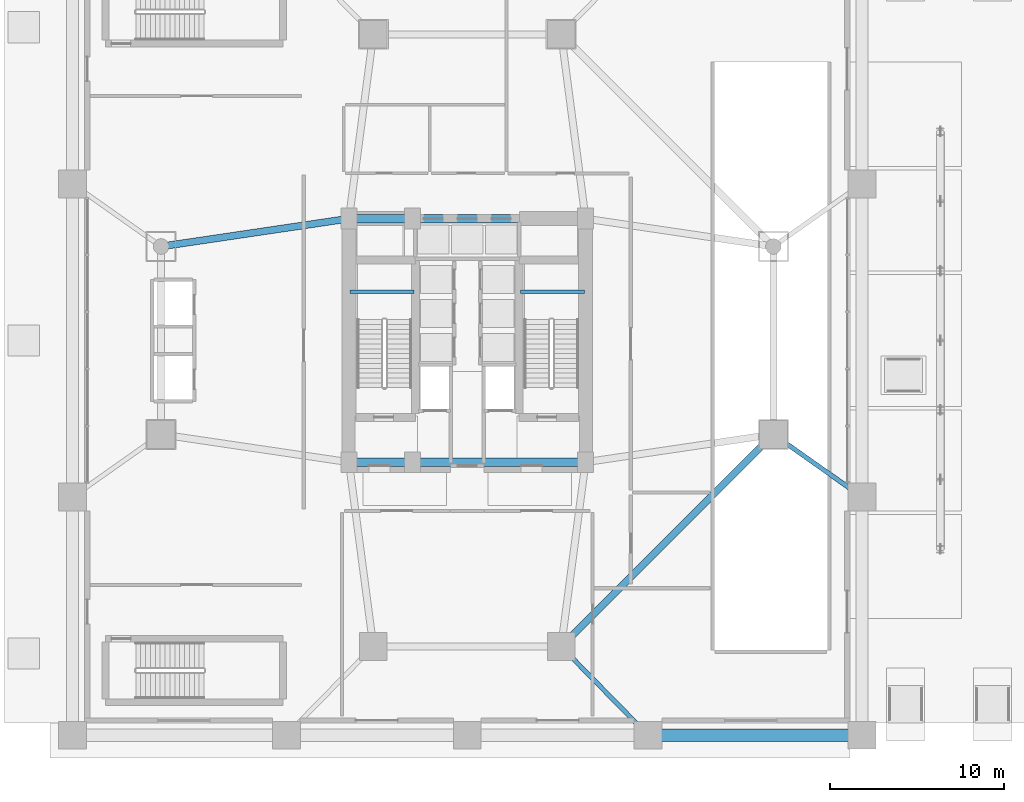
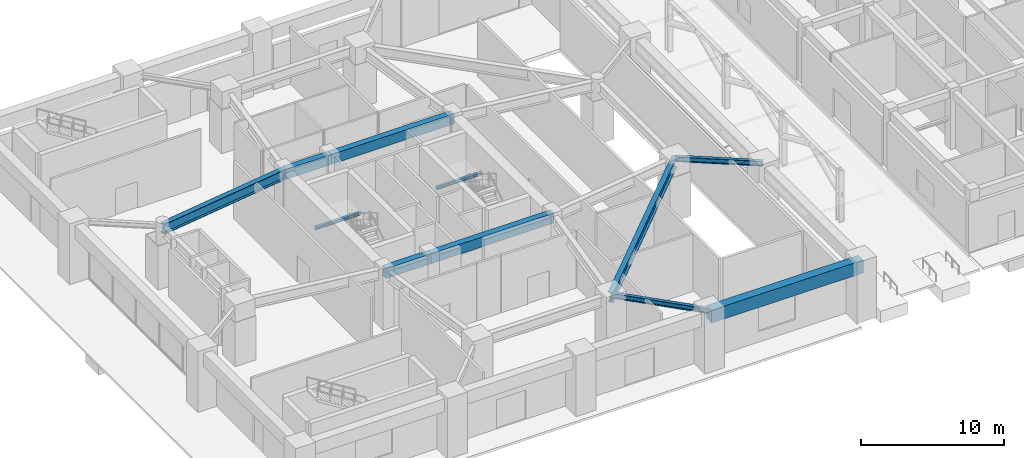
# One storey, part 9 of 27: 11 beams.
"""IFC4 building model written with IfcOpenShell, lengths in metres."""

from ifc_helpers import new_model, si_unit, direction, frame, origin, origin_2d, place, context, subcontext, project, spatial, rectangle, i_section, extrude, material, material_profile, profile_set, type_object, element, save


model = new_model("IFC4")

# Units and contexts
model_context = context("Model", 3, precision=1e-05, world=origin(), true_north=direction((0.0, 1.0)))
body_context = subcontext(model_context, "Body", "Model", "MODEL_VIEW")
ifc_project = project(units=[si_unit("LENGTHUNIT", "METRE"), si_unit("AREAUNIT", "SQUARE_METRE"), si_unit("VOLUMEUNIT", "CUBIC_METRE"), si_unit("PLANEANGLEUNIT", "RADIAN"), si_unit("MASSUNIT", "GRAM", prefix="KILO")], contexts=[model_context])

# Site, building, storey
site_placement = place(None, origin())
site = spatial("IfcSite", under=ifc_project, at=site_placement, CompositionType="ELEMENT")
building_placement = place(site_placement, origin())
building = spatial("IfcBuilding", under=site, at=building_placement, Name="Veraguas Prism Commons", CompositionType="ELEMENT")
storey_placement = place(building_placement, origin())
storey = spatial("IfcBuildingStorey", under=building, at=storey_placement, Name="L00", CompositionType="ELEMENT", Elevation=0.0)

# Beams
ifc_material_1 = material(Name="Steel ASTM A992 Grade 50", Category="steel")
ifc_material_profile_1 = material_profile(ifc_material_1, i_section(OverallWidth=0.403076171875, OverallDepth=0.867919921875, WebThickness=0.02099609375, FlangeThickness=0.03564453125, at=origin_2d()), Name="W840X359")
ifc_profile_set_1 = profile_set([ifc_material_profile_1], Name="Steel ASTM A992 Grade 50")
beam_type_1 = type_object("IfcBeamType", Name="Concourse Primary Girder W840x359", PredefinedType="BEAM", material=ifc_profile_set_1)
beam_1_placement = place(storey_placement, frame((6.39990234375, 29.39990234375, 4.466064453125), z_axis=(0.989202261707, 0.146556765224, 0.0), x_axis=(-0.146556765224, 0.989202261707, 0.0)))
element("IfcBeam", 1, at=beam_1_placement, inside=storey, type_object=beam_type_1, Name="Concourse Radial Girder L00-TMR05", PredefinedType="BEAM", context=body_context, shape_type="SweptSolid", body=[
    extrude(i_section(OverallWidth=0.403076171875, OverallDepth=0.867919921875, WebThickness=0.02099609375, FlangeThickness=0.03564453125, at=origin_2d()), origin(), (0.0, 0.0, 1.0), 10.91796875),
])
beam_2_placement = place(storey_placement, frame((29.39990234375, 6.39990234375, 4.466064453125), z_axis=(0.707106781187, 0.707106781187, 0.0), x_axis=(-0.707106781187, 0.707106781187, 0.0)))
element("IfcBeam", 2, at=beam_2_placement, inside=storey, type_object=beam_type_1, Name="Concourse Ring Girder L00-TMH08", PredefinedType="BEAM", context=body_context, shape_type="SweptSolid", body=[
    extrude(i_section(OverallWidth=0.403076171875, OverallDepth=0.867919921875, WebThickness=0.02099609375, FlangeThickness=0.03564453125, at=origin_2d()), origin(), (0.0, 0.0, 1.0), 17.253662109375),
])
ifc_material_2 = material(Name="Concrete C50/60", Category="concrete")
ifc_material_profile_2 = material_profile(ifc_material_2, rectangle(XDim=0.5, YDim=0.85009765625, at=origin_2d()), Name="RC500X850")
ifc_profile_set_2 = profile_set([ifc_material_profile_2], Name="Concrete C50/60")
beam_type_2 = type_object("IfcBeamType", Name="Core Coupling Beam RC 500x850", PredefinedType="BEAM", material=ifc_profile_set_2)
beam_3_placement = place(storey_placement, frame((17.199951171875, 17.0, 4.47509765625), z_axis=(1.0, 0.0, 0.0), x_axis=(0.0, 1.0, 0.0)))
element("IfcBeam", 3, at=beam_3_placement, inside=storey, type_object=beam_type_2, Name="Core Coupling Beam L00-CRS1", PredefinedType="BEAM", context=body_context, shape_type="SweptSolid", body=[
    extrude(rectangle(XDim=0.5, YDim=0.85009765625, at=origin_2d()), origin(), (0.0, 0.0, 1.0), 3.650146484375),
])
beam_4_placement = place(storey_placement, frame((20.85009765625, 17.0, 4.47509765625), z_axis=(1.0, 0.0, 0.0), x_axis=(0.0, 1.0, 0.0)))
element("IfcBeam", 4, at=beam_4_placement, inside=storey, type_object=beam_type_2, Name="Core Coupling Beam L00-CRS2", PredefinedType="BEAM", context=body_context, shape_type="SweptSolid", body=[
    extrude(rectangle(XDim=0.5, YDim=0.85009765625, at=origin_2d()), origin(), (0.0, 0.0, 1.0), 9.949951171875),
])
beam_5_placement = place(storey_placement, frame((17.199951171875, 31.0, 4.47509765625), z_axis=(1.0, 0.0, 0.0), x_axis=(0.0, 1.0, 0.0)))
element("IfcBeam", 5, at=beam_5_placement, inside=storey, type_object=beam_type_2, Name="Core Coupling Beam L00-CRN1", PredefinedType="BEAM", context=body_context, shape_type="SweptSolid", body=[
    extrude(rectangle(XDim=0.5, YDim=0.85009765625, at=origin_2d()), origin(), (0.0, 0.0, 1.0), 3.650146484375),
])
beam_6_placement = place(storey_placement, frame((20.85009765625, 31.0, 4.47509765625), z_axis=(1.0, 0.0, 0.0), x_axis=(0.0, 1.0, 0.0)))
element("IfcBeam", 6, at=beam_6_placement, inside=storey, type_object=beam_type_2, Name="Core Coupling Beam L00-CRN2", PredefinedType="BEAM", context=body_context, shape_type="SweptSolid", body=[
    extrude(rectangle(XDim=0.5, YDim=0.85009765625, at=origin_2d()), origin(), (0.0, 0.0, 1.0), 9.949951171875),
])
ifc_material_profile_3 = material_profile(ifc_material_1, i_section(OverallWidth=0.260986328125, OverallDepth=0.419921875, WebThickness=0.01171875, FlangeThickness=0.019287109375, at=origin_2d()), Name="W410X114")
ifc_profile_set_3 = profile_set([ifc_material_profile_3], Name="Steel ASTM A992 Grade 50")
beam_type_3 = type_object("IfcBeamType", Name="Lower Floor Joist W410x114", PredefinedType="JOIST", material=ifc_profile_set_3)
beam_7_placement = place(storey_placement, frame((41.60009765625, 18.60009765625, 4.68994140625), z_axis=(0.816952688962, -0.576704693927, 0.0), x_axis=(0.576704693927, 0.816952688962, 0.0)))
element("IfcBeam", 7, at=beam_7_placement, inside=storey, type_object=beam_type_3, Name="Podium Tie Beam L00-TMT01", PredefinedType="JOIST", context=body_context, shape_type="SweptSolid", body=[
    extrude(i_section(OverallWidth=0.260986328125, OverallDepth=0.419921875, WebThickness=0.01171875, FlangeThickness=0.019287109375, at=origin_2d()), origin(), (0.0, 0.0, 1.0), 6.242431640625),
])
beam_8_placement = place(storey_placement, frame((29.39990234375, 6.39990234375, 4.68994140625), z_axis=(0.700081663946, -0.71406278702, 0.0), x_axis=(0.71406278702, 0.700081663946, 0.0)))
element("IfcBeam", 8, at=beam_8_placement, inside=storey, type_object=beam_type_3, Name="Podium Tie Beam L00-TMT08", PredefinedType="JOIST", context=body_context, shape_type="SweptSolid", body=[
    extrude(i_section(OverallWidth=0.260986328125, OverallDepth=0.419921875, WebThickness=0.01171875, FlangeThickness=0.019287109375, at=origin_2d()), origin(), (0.0, 0.0, 1.0), 7.14208984375),
])
ifc_material_profile_4 = material_profile(ifc_material_2, rectangle(XDim=0.699951171875, YDim=1.10009765625, at=origin_2d()), Name="RC700X1100")
ifc_profile_set_4 = profile_set([ifc_material_profile_4], Name="Concrete C50/60")
beam_type_4 = type_object("IfcBeamType", Name="Podium Primary Girder RC 700x1100", PredefinedType="BEAM", material=ifc_profile_set_4)
beam_9_placement = place(storey_placement, frame((34.39990234375, 1.300048828125, 4.35009765625), z_axis=(1.0, 0.0, 0.0), x_axis=(0.0, 1.0, 0.0)))
element("IfcBeam", 9, at=beam_9_placement, inside=storey, type_object=beam_type_4, Name="Podium Perimeter Girder L00-PDR04", PredefinedType="BEAM", context=body_context, shape_type="SweptSolid", body=[
    extrude(rectangle(XDim=0.699951171875, YDim=1.10009765625, at=origin_2d()), origin(), (0.0, 0.0, 1.0), 12.300048828125),
])
ifc_material_profile_5 = material_profile(ifc_material_1, i_section(OverallWidth=0.202880859375, OverallDepth=0.251953125, WebThickness=0.008056640625, FlangeThickness=0.013427734375, at=origin_2d()), Name="W250X58")
ifc_profile_set_5 = profile_set([ifc_material_profile_5], Name="Steel ASTM A992 Grade 50")
beam_type_5 = type_object("IfcBeamType", Name="Structural Opening Lintel W250x58", PredefinedType="LINTEL", material=ifc_profile_set_5)
for number, where, z_axis, x_axis, name in (
    (10, (17.25, 26.800048828125, 2.27392578125), (1.0, 0.0, 0.0), (0.0, 1.0, 0.0), "Stair ST-01 Half-Landing Support Beam L00-1"),
    (11, (27.050048828125, 26.800048828125, 2.27392578125), (1.0, 0.0, 0.0), (0.0, 1.0, 0.0), "Stair ST-02 Half-Landing Support Beam L00-1"),
):
    element("IfcBeam", number, at=place(storey_placement, frame(where, z_axis=z_axis, x_axis=x_axis)), inside=storey, type_object=beam_type_5, Name=name, PredefinedType="LINTEL", context=body_context, shape_type="SweptSolid", body=[
        extrude(i_section(OverallWidth=0.202880859375, OverallDepth=0.251953125, WebThickness=0.008056640625, FlangeThickness=0.013427734375, at=origin_2d()), origin(), (0.0, 0.0, 1.0), 3.699951171875),
    ])

save(model, "model.ifc")
